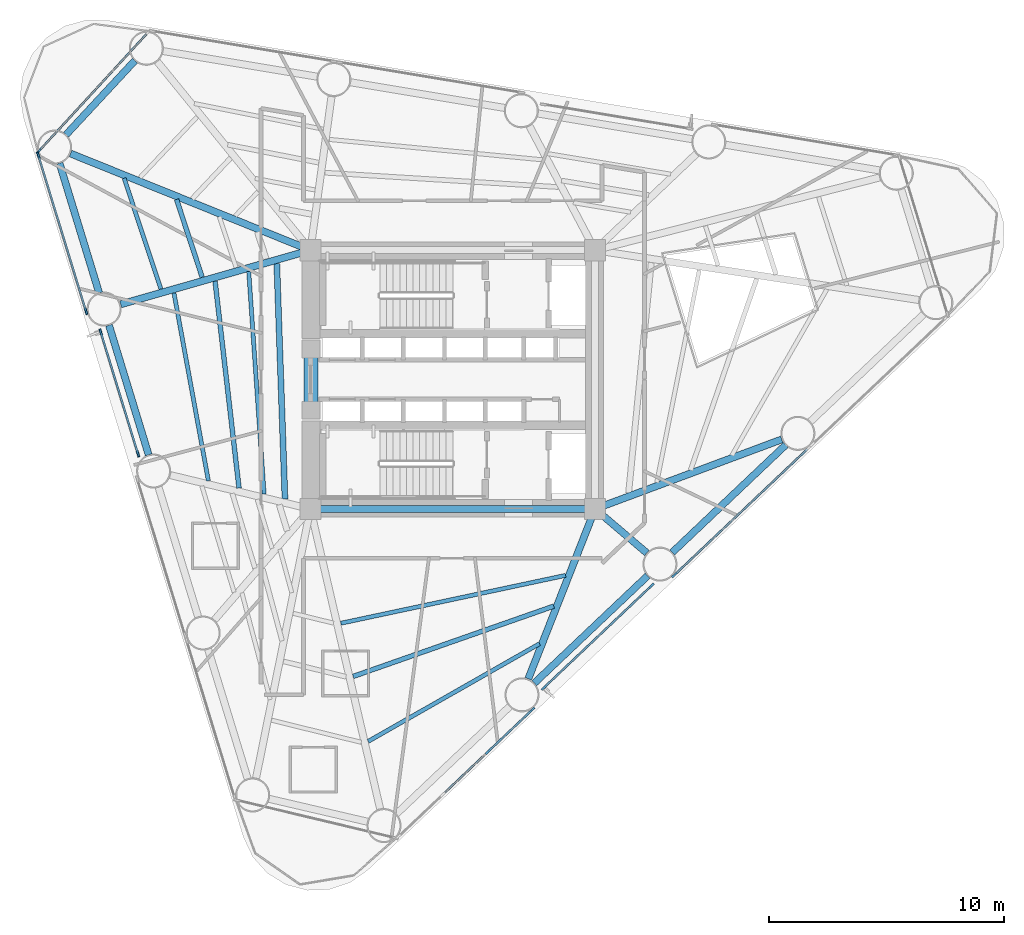
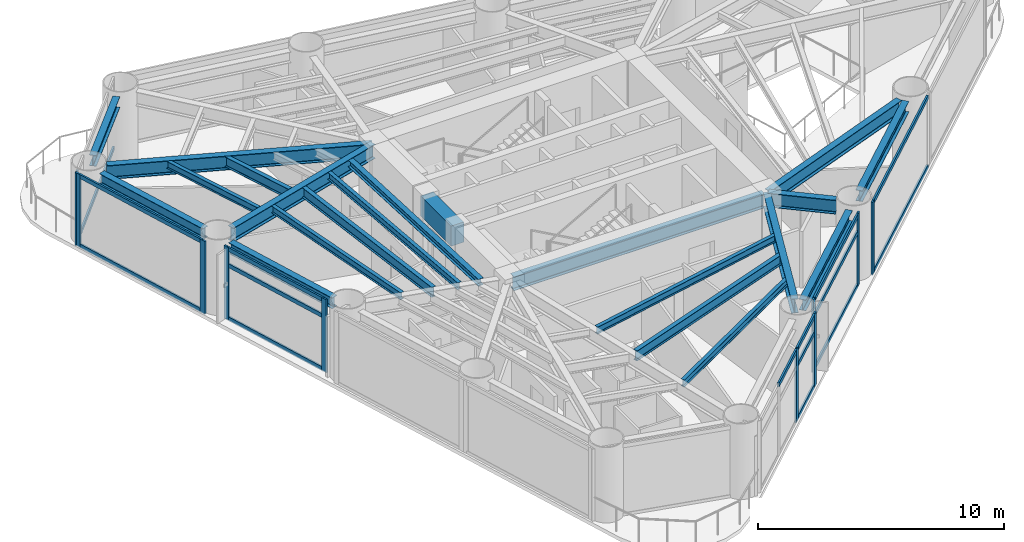
# One storey, part 2 of 10: 25 members, 21 beams, 6 elements without a shape of their own.
"""IFC4 building model written with IfcOpenShell, lengths in metres."""

from ifc_helpers import new_model, si_unit, direction, frame, origin, origin_2d, place, context, subcontext, project, spatial, rectangle, i_section, extrude, source, transform, mapped, material, layer, layer_set, material_profile, profile_set, type_object, element, aggregate, save


model = new_model("IFC4")

# Units and contexts
model_context = context("Model", 3, precision=1e-05, world=origin(), true_north=direction((0.0, 1.0)))
body_context = subcontext(model_context, "Body", "Model", "MODEL_VIEW")
ifc_project = project(units=[si_unit("LENGTHUNIT", "METRE"), si_unit("AREAUNIT", "SQUARE_METRE"), si_unit("VOLUMEUNIT", "CUBIC_METRE"), si_unit("PLANEANGLEUNIT", "RADIAN"), si_unit("MASSUNIT", "GRAM", prefix="KILO")], contexts=[model_context])

# Site, building, storey
site_placement = place(None, origin())
site = spatial("IfcSite", under=ifc_project, at=site_placement, CompositionType="ELEMENT")
building_placement = place(site_placement, origin())
building = spatial("IfcBuilding", under=site, at=building_placement, Name="Yunling Apex Tower", CompositionType="ELEMENT")
storey_placement = place(building_placement, frame((0.0, 0.0, 116.14990234375)))
storey = spatial("IfcBuildingStorey", under=building, at=storey_placement, Name="L29", CompositionType="ELEMENT", Elevation=116.14990234375)

# Beams
ifc_material_1 = material(Name="Concrete C60", Category="concrete")
ifc_material_profile_1 = material_profile(ifc_material_1, rectangle(XDim=0.60009765625, YDim=1.0, at=origin_2d()))
ifc_profile_set_1 = profile_set([ifc_material_profile_1], Name="Concrete C60")
beam_type_1 = type_object("IfcBeamType", Name="BC-CPL-1", PredefinedType="BEAM", material=ifc_profile_set_1)
shared_shape_1 = source(origin(), body_context, "Body", "SweptSolid", [
    extrude(rectangle(XDim=0.60009765625, YDim=1.0, at=origin_2d()), origin(), (0.0, 0.0, 1.0), 2.5),
])
beam_1_placement = place(storey_placement, frame((-6.02490234375, -1.25, 3.030029296875), z_axis=(0.0, 1.0, 0.0), x_axis=(-1.0, 0.0, 0.0)))
element("IfcBeam", 1, at=beam_1_placement, inside=storey, type_object=beam_type_1, Name="L29 Core West Portal Coupling Beam", PredefinedType="BEAM", context=body_context, shape_type="MappedRepresentation", body=[
    mapped(shared_shape_1, transform((0.0, 0.0, 0.0), scale=1.0)),
])
ifc_material_2 = material(Name="Steel Q355B", Category="steel")
ifc_material_profile_2 = material_profile(ifc_material_2, i_section(OverallWidth=0.300048828125, OverallDepth=0.699951171875, WebThickness=0.012939453125, FlangeThickness=0.02392578125, FilletRadius=0.02587890625, at=origin_2d()))
ifc_profile_set_2 = profile_set([ifc_material_profile_2], Name="Steel Q355B")
beam_type_2 = type_object("IfcBeamType", Name="BG-PRI-3", PredefinedType="USERDEFINED", material=ifc_profile_set_2)
shared_shape_2 = source(origin(), body_context, "Body", "SweptSolid", [
    extrude(i_section(OverallWidth=0.300048828125, OverallDepth=0.699951171875, WebThickness=0.012939453125, FlangeThickness=0.02392578125, FilletRadius=0.02587890625, at=origin_2d()), origin(), (0.0, 0.0, 1.0), 11.7998046875),
])
beam_2_placement = place(storey_placement, frame((-5.89990234375, -5.5, 3.18017578125), z_axis=(1.0, 0.0, 0.0), x_axis=(0.0, 1.0, 0.0)))
element("IfcBeam", 2, at=beam_2_placement, inside=storey, type_object=beam_type_2, Name="L29 Core Ring Tie Beam 1", ObjectType="GIRDER", PredefinedType="USERDEFINED", context=body_context, shape_type="MappedRepresentation", body=[
    mapped(shared_shape_2, transform((0.0, 0.0, 0.0), scale=1.0)),
])
ifc_material_profile_3 = material_profile(ifc_material_2, i_section(OverallWidth=0.300048828125, OverallDepth=0.5400390625, WebThickness=0.011962890625, FlangeThickness=0.02001953125, FilletRadius=0.02392578125, at=origin_2d()))
ifc_profile_set_3 = profile_set([ifc_material_profile_3], Name="Steel Q355B")
beam_type_3 = type_object("IfcBeamType", Name="BP-SPN-1", PredefinedType="SPANDREL", material=ifc_profile_set_3)
shared_shape_3 = source(origin(), body_context, "Body", "SweptSolid", [
    extrude(i_section(OverallWidth=0.300048828125, OverallDepth=0.5400390625, WebThickness=0.011962890625, FlangeThickness=0.02001953125, FilletRadius=0.02392578125, at=origin_2d()), origin(), (0.0, 0.0, 1.0), 6.6416015625),
])
for number, where, z_axis, x_axis, name in (
    (3, (3.465087890625, -12.90771484375, 3.260009765625), (0.725873473547, 0.687828249203, 0.0), (-0.687828249203, 0.725873473547, 0.0), "L29 Perimeter Spandrel Beam 2"),
    (4, (9.330078125, -7.35009765625, 3.260009765625), (0.72585608204, 0.687846602205, 0.0), (-0.687846602205, 0.72585608204, 0.0), "L29 Perimeter Spandrel Beam 3"),
):
    element("IfcBeam", number, at=place(storey_placement, frame(where, z_axis=z_axis, x_axis=x_axis)), inside=storey, type_object=beam_type_3, Name=name, PredefinedType="SPANDREL", context=body_context, shape_type="MappedRepresentation", body=[
        mapped(shared_shape_3, transform((0.0, 0.0, 0.0), scale=1.0)),
    ])
shared_shape_4 = source(origin(), body_context, "Body", "SweptSolid", [
    extrude(i_section(OverallWidth=0.300048828125, OverallDepth=0.5400390625, WebThickness=0.011962890625, FlangeThickness=0.02001953125, FilletRadius=0.02392578125, at=origin_2d()), origin(), (0.0, 0.0, 1.0), 4.296875),
])
beam_3_placement = place(storey_placement, frame((-13.513671875, 13.55810546875, 3.260009765625), z_axis=(-0.680634144105, -0.732623478929, 0.0), x_axis=(0.732623478929, -0.680634144105, 0.0)))
element("IfcBeam", 5, at=beam_3_placement, inside=storey, type_object=beam_type_3, Name="L29 Perimeter Spandrel Beam 10", PredefinedType="SPANDREL", context=body_context, shape_type="MappedRepresentation", body=[
    mapped(shared_shape_4, transform((0.0, 0.0, 0.0), scale=1.0)),
])
shared_shape_5 = source(origin(), body_context, "Body", "SweptSolid", [
    extrude(i_section(OverallWidth=0.300048828125, OverallDepth=0.5400390625, WebThickness=0.011962890625, FlangeThickness=0.02001953125, FilletRadius=0.02392578125, at=origin_2d()), origin(), (0.0, 0.0, 1.0), 5.76220703125),
])
for number, where, z_axis, x_axis, name in (
    (6, (-16.71728515625, 9.19580078125, 3.260009765625), (0.292346626925, -0.956312422656, 0.0), (0.956312422656, 0.292346626925, 0.0), "L29 Perimeter Spandrel Beam 11"),
    (7, (-14.6123046875, 2.31005859375, 3.260009765625), (0.292385374143, -0.956300576695, 0.0), (0.956300576695, 0.292385374143, 0.0), "L29 Perimeter Spandrel Beam 12"),
):
    element("IfcBeam", number, at=place(storey_placement, frame(where, z_axis=z_axis, x_axis=x_axis)), inside=storey, type_object=beam_type_3, Name=name, PredefinedType="SPANDREL", context=body_context, shape_type="MappedRepresentation", body=[
        mapped(shared_shape_5, transform((0.0, 0.0, 0.0), scale=1.0)),
    ])
shared_shape_6 = source(origin(), body_context, "Body", "SweptSolid", [
    extrude(i_section(OverallWidth=0.300048828125, OverallDepth=0.699951171875, WebThickness=0.012939453125, FlangeThickness=0.02392578125, FilletRadius=0.02587890625, at=origin_2d()), origin(), (0.0, 0.0, 1.0), 7.67822265625),
])
beam_4_placement = place(storey_placement, frame((3.21142578125, -12.72021484375, 3.18017578125), z_axis=(0.365885513893, 0.930659868439, 0.0), x_axis=(-0.930659868439, 0.365885513893, 0.0)))
element("IfcBeam", 8, at=beam_4_placement, inside=storey, type_object=beam_type_2, Name="L29 Radial Primary Girder R02", ObjectType="GIRDER", PredefinedType="USERDEFINED", context=body_context, shape_type="MappedRepresentation", body=[
    mapped(shared_shape_6, transform((0.0, 0.0, 0.0), scale=1.0)),
])
shared_shape_7 = source(origin(), body_context, "Body", "SweptSolid", [
    extrude(i_section(OverallWidth=0.300048828125, OverallDepth=0.699951171875, WebThickness=0.012939453125, FlangeThickness=0.02392578125, FilletRadius=0.02587890625, at=origin_2d()), origin(), (0.0, 0.0, 1.0), 2.80712890625),
])
beam_5_placement = place(storey_placement, frame((8.24951171875, -7.3701171875, 3.18017578125), z_axis=(-0.761816983267, 0.647792315489, 0.0), x_axis=(-0.647792315489, -0.761816983267, 0.0)))
element("IfcBeam", 9, at=beam_5_placement, inside=storey, type_object=beam_type_2, Name="L29 Radial Primary Girder R03", ObjectType="GIRDER", PredefinedType="USERDEFINED", context=body_context, shape_type="MappedRepresentation", body=[
    mapped(shared_shape_7, transform((0.0, 0.0, 0.0), scale=1.0)),
])
shared_shape_8 = source(origin(), body_context, "Body", "SweptSolid", [
    extrude(i_section(OverallWidth=0.300048828125, OverallDepth=0.699951171875, WebThickness=0.012939453125, FlangeThickness=0.02392578125, FilletRadius=0.02587890625, at=origin_2d()), origin(), (0.0, 0.0, 1.0), 8.388916015625),
])
beam_6_placement = place(storey_placement, frame((13.98583984375, -2.54296875, 3.18017578125), z_axis=(-0.937056723422, -0.349177171489, 0.0), x_axis=(0.349177171489, -0.937056723422, 0.0)))
element("IfcBeam", 10, at=beam_6_placement, inside=storey, type_object=beam_type_2, Name="L29 Radial Primary Girder R04", ObjectType="GIRDER", PredefinedType="USERDEFINED", context=body_context, shape_type="MappedRepresentation", body=[
    mapped(shared_shape_8, transform((0.0, 0.0, 0.0), scale=1.0)),
])
shared_shape_9 = source(origin(), body_context, "Body", "SweptSolid", [
    extrude(i_section(OverallWidth=0.300048828125, OverallDepth=0.699951171875, WebThickness=0.012939453125, FlangeThickness=0.02392578125, FilletRadius=0.02587890625, at=origin_2d()), origin(), (0.0, 0.0, 1.0), 10.91455078125),
])
beam_7_placement = place(storey_placement, frame((-16.247802734375, 9.609375, 3.18017578125), z_axis=(0.927520283233, -0.373772824309, 0.0), x_axis=(0.373772824309, 0.927520283233, 0.0)))
element("IfcBeam", 11, at=beam_7_placement, inside=storey, type_object=beam_type_2, Name="L29 Radial Primary Girder R11", ObjectType="GIRDER", PredefinedType="USERDEFINED", context=body_context, shape_type="MappedRepresentation", body=[
    mapped(shared_shape_9, transform((0.0, 0.0, 0.0), scale=1.0)),
])
shared_shape_10 = source(origin(), body_context, "Body", "SweptSolid", [
    extrude(i_section(OverallWidth=0.300048828125, OverallDepth=0.699951171875, WebThickness=0.012939453125, FlangeThickness=0.02392578125, FilletRadius=0.02587890625, at=origin_2d()), origin(), (0.0, 0.0, 1.0), 8.309326171875),
])
beam_8_placement = place(storey_placement, frame((-14.117431640625, 3.19873046875, 3.18017578125), z_axis=(0.961641387397, 0.274309755652, 0.0), x_axis=(-0.274309755652, 0.961641387397, 0.0)))
element("IfcBeam", 12, at=beam_8_placement, inside=storey, type_object=beam_type_2, Name="L29 Radial Primary Girder R12", ObjectType="GIRDER", PredefinedType="USERDEFINED", context=body_context, shape_type="MappedRepresentation", body=[
    mapped(shared_shape_10, transform((0.0, 0.0, 0.0), scale=1.0)),
])
ifc_material_profile_4 = material_profile(ifc_material_2, i_section(OverallWidth=0.199951171875, OverallDepth=0.5, WebThickness=0.010009765625, FlangeThickness=0.01611328125, FilletRadius=0.02001953125, at=origin_2d()))
ifc_profile_set_4 = profile_set([ifc_material_profile_4], Name="Steel Q355B")
beam_type_4 = type_object("IfcBeamType", Name="BS-SEC-2", PredefinedType="BEAM", material=ifc_profile_set_4)
shared_shape_11 = source(origin(), body_context, "Body", "SweptSolid", [
    extrude(i_section(OverallWidth=0.199951171875, OverallDepth=0.5, WebThickness=0.010009765625, FlangeThickness=0.01611328125, FilletRadius=0.02001953125, at=origin_2d()), origin(), (0.0, 0.0, 1.0), 9.03759765625),
])
beam_9_placement = place(storey_placement, frame((-4.23193359375, -12.619140625, 3.280029296875), z_axis=(0.943677540759, 0.330866588018, 0.0), x_axis=(-0.330866588018, 0.943677540759, 0.0)))
element("IfcBeam", 13, at=beam_9_placement, inside=storey, type_object=beam_type_4, Name="L29 Composite Floor Beam BS-1", PredefinedType="BEAM", context=body_context, shape_type="MappedRepresentation", body=[
    mapped(shared_shape_11, transform((0.0, 0.0, 0.0), scale=1.0)),
])
ifc_material_profile_5 = material_profile(ifc_material_2, i_section(OverallWidth=0.175048828125, OverallDepth=0.35009765625, WebThickness=0.007080078125, FlangeThickness=0.010986328125, FilletRadius=0.013916015625, at=origin_2d()))
ifc_profile_set_5 = profile_set([ifc_material_profile_5], Name="Steel Q355B")
beam_type_5 = type_object("IfcBeamType", Name="BJ-JST-1", PredefinedType="JOIST", material=ifc_profile_set_5)
shared_shape_12 = source(origin(), body_context, "Body", "SweptSolid", [
    extrude(i_section(OverallWidth=0.175048828125, OverallDepth=0.35009765625, WebThickness=0.007080078125, FlangeThickness=0.010986328125, FilletRadius=0.013916015625, at=origin_2d()), origin(), (0.0, 0.0, 1.0), 8.38671875),
])
beam_10_placement = place(storey_placement, frame((-3.59619140625, -15.3798828125, 3.35498046875), z_axis=(0.868817593772, 0.495132294192, 0.0), x_axis=(-0.495132294192, 0.868817593772, 0.0)))
element("IfcBeam", 14, at=beam_10_placement, inside=storey, type_object=beam_type_5, Name="L29 Composite Floor Joist BJ1-1", PredefinedType="JOIST", context=body_context, shape_type="MappedRepresentation", body=[
    mapped(shared_shape_12, transform((0.0, 0.0, 0.0), scale=1.0)),
])
shared_shape_13 = source(origin(), body_context, "Body", "SweptSolid", [
    extrude(i_section(OverallWidth=0.175048828125, OverallDepth=0.35009765625, WebThickness=0.007080078125, FlangeThickness=0.010986328125, FilletRadius=0.013916015625, at=origin_2d()), origin(), (0.0, 0.0, 1.0), 9.767578125),
])
beam_11_placement = place(storey_placement, frame((-4.756591796875, -10.3583984375, 3.35498046875), z_axis=(0.978052637888, 0.208357955263, 0.0), x_axis=(-0.208357955263, 0.978052637888, 0.0)))
element("IfcBeam", 15, at=beam_11_placement, inside=storey, type_object=beam_type_5, Name="L29 Composite Floor Joist BJ3-1", PredefinedType="JOIST", context=body_context, shape_type="MappedRepresentation", body=[
    mapped(shared_shape_13, transform((0.0, 0.0, 0.0), scale=1.0)),
])
shared_shape_14 = source(origin(), body_context, "Body", "SweptSolid", [
    extrude(i_section(OverallWidth=0.199951171875, OverallDepth=0.5, WebThickness=0.010009765625, FlangeThickness=0.01611328125, FilletRadius=0.02001953125, at=origin_2d()), origin(), (0.0, 0.0, 1.0), 3.484130859375),
])
beam_12_placement = place(storey_placement, frame((-11.7431640625, 7.662353515625, 3.280029296875), z_axis=(0.313220106306, -0.949680559455, 0.0), x_axis=(0.949680559455, 0.313220106306, 0.0)))
element("IfcBeam", 16, at=beam_12_placement, inside=storey, type_object=beam_type_4, Name="L29 Composite Floor Beam BS-11", PredefinedType="BEAM", context=body_context, shape_type="MappedRepresentation", body=[
    mapped(shared_shape_14, transform((0.0, 0.0, 0.0), scale=1.0)),
])
shared_shape_15 = source(origin(), body_context, "Body", "SweptSolid", [
    extrude(i_section(OverallWidth=0.175048828125, OverallDepth=0.35009765625, WebThickness=0.007080078125, FlangeThickness=0.010986328125, FilletRadius=0.013916015625, at=origin_2d()), origin(), (0.0, 0.0, 1.0), 4.959716796875),
])
beam_13_placement = place(storey_placement, frame((-13.97021484375, 8.56005859375, 3.35498046875), z_axis=(0.314588147489, -0.949228264149, 0.0), x_axis=(0.949228264149, 0.314588147489, 0.0)))
element("IfcBeam", 17, at=beam_13_placement, inside=storey, type_object=beam_type_5, Name="L29 Composite Floor Joist BJ1-11", PredefinedType="JOIST", context=body_context, shape_type="MappedRepresentation", body=[
    mapped(shared_shape_15, transform((0.0, 0.0, 0.0), scale=1.0)),
])
shared_shape_16 = source(origin(), body_context, "Body", "SweptSolid", [
    extrude(i_section(OverallWidth=0.199951171875, OverallDepth=0.5, WebThickness=0.010009765625, FlangeThickness=0.01611328125, FilletRadius=0.02001953125, at=origin_2d()), origin(), (0.0, 0.0, 1.0), 8.85009765625),
])
beam_14_placement = place(storey_placement, frame((-10.103759765625, 4.179443359375, 3.280029296875), z_axis=(0.115144483353, -0.993348754443, 0.0), x_axis=(0.993348754443, 0.115144483353, 0.0)))
element("IfcBeam", 18, at=beam_14_placement, inside=storey, type_object=beam_type_4, Name="L29 Composite Floor Beam BS-12", PredefinedType="BEAM", context=body_context, shape_type="MappedRepresentation", body=[
    mapped(shared_shape_16, transform((0.0, 0.0, 0.0), scale=1.0)),
])
shared_shape_17 = source(origin(), body_context, "Body", "SweptSolid", [
    extrude(i_section(OverallWidth=0.175048828125, OverallDepth=0.35009765625, WebThickness=0.007080078125, FlangeThickness=0.010986328125, FilletRadius=0.013916015625, at=origin_2d()), origin(), (0.0, 0.0, 1.0), 8.113525390625),
])
beam_15_placement = place(storey_placement, frame((-11.851318359375, 3.6796875, 3.35498046875), z_axis=(0.180333691295, -0.983605489912, 0.0), x_axis=(0.983605489912, 0.180333691295, 0.0)))
element("IfcBeam", 19, at=beam_15_placement, inside=storey, type_object=beam_type_5, Name="L29 Composite Floor Joist BJ1-12", PredefinedType="JOIST", context=body_context, shape_type="MappedRepresentation", body=[
    mapped(shared_shape_17, transform((0.0, 0.0, 0.0), scale=1.0)),
])
shared_shape_18 = source(origin(), body_context, "Body", "SweptSolid", [
    extrude(i_section(OverallWidth=0.175048828125, OverallDepth=0.35009765625, WebThickness=0.007080078125, FlangeThickness=0.010986328125, FilletRadius=0.013916015625, at=origin_2d()), origin(), (0.0, 0.0, 1.0), 9.478515625),
])
beam_16_placement = place(storey_placement, frame((-8.6728515625, 4.589111328125, 3.35498046875), z_axis=(0.068925846819, -0.997621785869, 0.0), x_axis=(0.997621785869, 0.068925846819, 0.0)))
element("IfcBeam", 20, at=beam_16_placement, inside=storey, type_object=beam_type_5, Name="L29 Composite Floor Joist BJ3-12", PredefinedType="JOIST", context=body_context, shape_type="MappedRepresentation", body=[
    mapped(shared_shape_18, transform((0.0, 0.0, 0.0), scale=1.0)),
])
ifc_material_profile_6 = material_profile(ifc_material_2, i_section(OverallWidth=0.25, OverallDepth=0.340087890625, WebThickness=0.009033203125, FlangeThickness=0.013916015625, FilletRadius=0.01806640625, at=origin_2d()))
ifc_profile_set_6 = profile_set([ifc_material_profile_6], Name="Steel Q355B")
beam_type_6 = type_object("IfcBeamType", Name="BJ-JST-2", PredefinedType="JOIST", material=ifc_profile_set_6)
shared_shape_19 = source(origin(), body_context, "Body", "SweptSolid", [
    extrude(i_section(OverallWidth=0.25, OverallDepth=0.340087890625, WebThickness=0.009033203125, FlangeThickness=0.013916015625, FilletRadius=0.01806640625, at=origin_2d()), origin(), (0.0, 0.0, 1.0), 10.016357421875),
])
beam_17_placement = place(storey_placement, frame((-7.479736328125, 4.9306640625, 3.360107421875), z_axis=(0.034684741857, -0.999398303322, 0.0), x_axis=(0.999398303322, 0.034684741857, 0.0)))
element("IfcBeam", 21, at=beam_17_placement, inside=storey, type_object=beam_type_6, Name="L29 Composite Floor Joist BJ2-12", PredefinedType="JOIST", context=body_context, shape_type="MappedRepresentation", body=[
    mapped(shared_shape_19, transform((0.0, 0.0, 0.0), scale=1.0)),
])

# Curtain wall, members
ifc_material_3 = material(Name="Bronze anodised aluminium", Category="aluminium")
ifc_layer = layer(ifc_material_3, 0.260009765625)
ifc_layer_set = layer_set([ifc_layer], Name="Bronze anodised aluminium")
curtain_wall_type = type_object("IfcCurtainWallType", Name="CW-SYS-2", PredefinedType="NOTDEFINED", material=ifc_layer_set)
curtain_wall_1_placement = place(storey_placement, origin())
curtain_wall_1 = element("IfcCurtainWall", 22, at=curtain_wall_1_placement, inside=storey, type_object=curtain_wall_type, Name="CW-L29-F1-B1", PredefinedType="NOTDEFINED")
ifc_material_profile_7 = material_profile(ifc_material_3, rectangle(XDim=0.0849609375, YDim=0.260009765625, at=origin_2d()))
ifc_profile_set_7 = profile_set([ifc_material_profile_7], Name="Bronze anodised aluminium")
member_type_1 = type_object("IfcMemberType", Name="CW-MUL-2", PredefinedType="MULLION", material=ifc_profile_set_7)
shared_shape_20 = source(origin(), body_context, "Body", "SweptSolid", [
    extrude(rectangle(XDim=0.0849609375, YDim=0.260009765625, at=origin_2d()), origin(), (0.0, 0.0, 1.0), 3.6298828125),
])
member_1_placement = place(storey_placement, frame((1.491943359375, -15.824951171875, -0.0498046875), z_axis=(0.0, 0.0, 1.0), x_axis=(-0.687861264918, 0.72584218686, 0.0)))
member_1 = element("IfcMember", 23, at=member_1_placement, type_object=member_type_1, Name="CW-SYS-2 mullion 3", PredefinedType="MULLION", context=body_context, shape_type="MappedRepresentation", body=[
    mapped(shared_shape_20, transform((0.0, 0.0, 0.0), scale=1.0)),
])
member_2_placement = place(storey_placement, frame((3.377197265625, -14.038330078125, -0.0498046875), z_axis=(0.0, 0.0, 1.0), x_axis=(-0.687861264918, 0.72584218686, 0.0)))
member_2 = element("IfcMember", 24, at=member_2_placement, type_object=member_type_1, Name="CW-SYS-2 mullion 4", PredefinedType="MULLION", context=body_context, shape_type="MappedRepresentation", body=[
    mapped(shared_shape_20, transform((0.0, 0.0, 0.0), scale=1.0)),
])

curtain_wall_2_placement = place(storey_placement, origin())
curtain_wall_2 = element("IfcCurtainWall", 25, at=curtain_wall_2_placement, inside=storey, type_object=curtain_wall_type, Name="CW-L29-F1-B2", PredefinedType="NOTDEFINED")
member_3_placement = place(storey_placement, frame((3.87646484375, -13.096923828125, -0.0498046875), z_axis=(0.0, 0.0, 1.0), x_axis=(-0.687844480924, 0.725858092234, 0.0)))
member_3 = element("IfcMember", 26, at=member_3_placement, type_object=member_type_1, Name="CW-SYS-2 mullion 1", PredefinedType="MULLION", context=body_context, shape_type="MappedRepresentation", body=[
    mapped(shared_shape_20, transform((0.0, 0.0, 0.0), scale=1.0)),
])
member_4_placement = place(storey_placement, frame((8.452880859375, -8.76025390625, -0.0498046875), z_axis=(0.0, 0.0, 1.0), x_axis=(-0.687844480924, 0.725858092234, 0.0)))
member_4 = element("IfcMember", 27, at=member_4_placement, type_object=member_type_1, Name="CW-SYS-2 mullion 2", PredefinedType="MULLION", context=body_context, shape_type="MappedRepresentation", body=[
    mapped(shared_shape_20, transform((0.0, 0.0, 0.0), scale=1.0)),
])

# Curtain wall, member
curtain_wall_3_placement = place(storey_placement, origin())
curtain_wall_3 = element("IfcCurtainWall", 28, at=curtain_wall_3_placement, inside=storey, type_object=curtain_wall_type, Name="CW-L29-F1-B3", PredefinedType="NOTDEFINED")
member_5_placement = place(storey_placement, frame((9.419921875, -8.312255859375, -0.0498046875), z_axis=(0.0, 0.0, 1.0), x_axis=(-0.687861264918, 0.72584218686, 0.0)))
member_5 = element("IfcMember", 29, at=member_5_placement, type_object=member_type_1, Name="CW-SYS-2 mullion 1", PredefinedType="MULLION", context=body_context, shape_type="MappedRepresentation", body=[
    mapped(shared_shape_20, transform((0.0, 0.0, 0.0), scale=1.0)),
])

curtain_wall_4_placement = place(storey_placement, origin())
curtain_wall_4 = element("IfcCurtainWall", 30, at=curtain_wall_4_placement, inside=storey, type_object=curtain_wall_type, Name="CW-L29-CRN2", PredefinedType="NOTDEFINED")
member_6_placement = place(storey_placement, frame((-17.6064453125, 9.6982421875, -0.0498046875), z_axis=(0.0, 0.0, 1.0), x_axis=(0.736184624933, -0.676780760669, 0.0)))
member_6 = element("IfcMember", 31, at=member_6_placement, type_object=member_type_1, Name="CW-SYS-2 mullion 2", PredefinedType="MULLION", context=body_context, shape_type="MappedRepresentation", body=[
    mapped(shared_shape_20, transform((0.0, 0.0, 0.0), scale=1.0)),
])

# Curtain wall, members
curtain_wall_5_placement = place(storey_placement, origin())
curtain_wall_5 = element("IfcCurtainWall", 32, at=curtain_wall_5_placement, inside=storey, type_object=curtain_wall_type, Name="CW-L29-F3-B1", PredefinedType="NOTDEFINED")
member_7_placement = place(storey_placement, frame((-17.61865234375, 9.5439453125, -0.0498046875), z_axis=(0.0, 0.0, 1.0), x_axis=(0.956304476342, 0.292372619321, 0.0)))
member_7 = element("IfcMember", 33, at=member_7_placement, type_object=member_type_1, Name="CW-SYS-2 mullion 1", PredefinedType="MULLION", context=body_context, shape_type="MappedRepresentation", body=[
    mapped(shared_shape_20, transform((0.0, 0.0, 0.0), scale=1.0)),
])
member_8_placement = place(storey_placement, frame((-15.5849609375, 2.892578125, -0.0498046875), z_axis=(0.0, 0.0, 1.0), x_axis=(0.956304476342, 0.292372619321, 0.0)))
member_8 = element("IfcMember", 34, at=member_8_placement, type_object=member_type_1, Name="CW-SYS-2 mullion 2", PredefinedType="MULLION", context=body_context, shape_type="MappedRepresentation", body=[
    mapped(shared_shape_20, transform((0.0, 0.0, 0.0), scale=1.0)),
])

curtain_wall_6_placement = place(storey_placement, origin())
curtain_wall_6 = element("IfcCurtainWall", 35, at=curtain_wall_6_placement, inside=storey, type_object=curtain_wall_type, Name="CW-L29-F3-B2", PredefinedType="NOTDEFINED")
member_9_placement = place(storey_placement, frame((-14.964599609375, 2.026123046875, -0.0498046875), z_axis=(0.0, 0.0, 1.0), x_axis=(0.956307182672, 0.292363767199, 0.0)))
member_9 = element("IfcMember", 36, at=member_9_placement, type_object=member_type_1, Name="CW-SYS-2 mullion 1", PredefinedType="MULLION", context=body_context, shape_type="MappedRepresentation", body=[
    mapped(shared_shape_20, transform((0.0, 0.0, 0.0), scale=1.0)),
])
member_10_placement = place(storey_placement, frame((-13.37841796875, -3.162109375, -0.0498046875), z_axis=(0.0, 0.0, 1.0), x_axis=(0.956307182672, 0.292363767199, 0.0)))
member_10 = element("IfcMember", 37, at=member_10_placement, type_object=member_type_1, Name="CW-SYS-2 mullion 2", PredefinedType="MULLION", context=body_context, shape_type="MappedRepresentation", body=[
    mapped(shared_shape_20, transform((0.0, 0.0, 0.0), scale=1.0)),
])

# Member
ifc_material_profile_8 = material_profile(ifc_material_3, rectangle(XDim=0.0849609375, YDim=0.199951171875, at=origin_2d()))
ifc_profile_set_8 = profile_set([ifc_material_profile_8], Name="Bronze anodised aluminium")
member_type_2 = type_object("IfcMemberType", Name="CW-TRN-2", PredefinedType="USERDEFINED", material=ifc_profile_set_8)
shared_shape_21 = source(origin(), body_context, "Body", "SweptSolid", [
    extrude(rectangle(XDim=0.0849609375, YDim=0.199951171875, at=origin_2d()), origin(), (0.0, 0.0, 1.0), 2.563232421875),
])
member_11_placement = place(storey_placement, frame((-0.396484375, -17.614501953125, 3.487548828125), z_axis=(0.725852566003, 0.687850312515, 0.0), x_axis=(-0.687850312515, 0.725852566003, 0.0)))
member_11 = element("IfcMember", 38, at=member_11_placement, type_object=member_type_2, Name="CW-SYS-2 transom 2.3", ObjectType="TRANSOM", PredefinedType="USERDEFINED", context=body_context, shape_type="MappedRepresentation", body=[
    mapped(shared_shape_21, transform((0.0, 0.0, 0.0), scale=1.0)),
])

shared_shape_22 = source(origin(), body_context, "Body", "SweptSolid", [
    extrude(rectangle(XDim=0.0849609375, YDim=0.199951171875, at=origin_2d()), origin(), (0.0, 0.0, 1.0), 2.520751953125),
])
member_12_placement = place(storey_placement, frame((1.51953125, -15.798583984375, 0.04248046875), z_axis=(0.725881421947, 0.687819861063, 0.0), x_axis=(-0.687819861063, 0.725881421947, 0.0)))
member_12 = element("IfcMember", 39, at=member_12_placement, type_object=member_type_2, Name="CW-SYS-2 transom 3.1", ObjectType="TRANSOM", PredefinedType="USERDEFINED", context=body_context, shape_type="MappedRepresentation", body=[
    mapped(shared_shape_22, transform((0.0, 0.0, 0.0), scale=1.0)),
])

member_13_placement = place(storey_placement, frame((1.51953125, -15.798583984375, 2.682861328125), z_axis=(0.725881421947, 0.687819861063, 0.0), x_axis=(-0.687819861063, 0.725881421947, 0.0)))
member_13 = element("IfcMember", 40, at=member_13_placement, type_object=member_type_2, Name="CW-SYS-2 transom 3.2", ObjectType="TRANSOM", PredefinedType="USERDEFINED", context=body_context, shape_type="MappedRepresentation", body=[
    mapped(shared_shape_22, transform((0.0, 0.0, 0.0), scale=1.0)),
])

member_14_placement = place(storey_placement, frame((1.51953125, -15.798583984375, 3.487548828125), z_axis=(0.725881421947, 0.687819861063, 0.0), x_axis=(-0.687819861063, 0.725881421947, 0.0)))
member_14 = element("IfcMember", 41, at=member_14_placement, type_object=member_type_2, Name="CW-SYS-2 transom 3.3", ObjectType="TRANSOM", PredefinedType="USERDEFINED", context=body_context, shape_type="MappedRepresentation", body=[
    mapped(shared_shape_22, transform((0.0, 0.0, 0.0), scale=1.0)),
])

aggregate(curtain_wall_1, [member_1, member_2, member_11, member_12, member_13, member_14])

shared_shape_23 = source(origin(), body_context, "Body", "SweptSolid", [
    extrude(rectangle(XDim=0.0849609375, YDim=0.199951171875, at=origin_2d()), origin(), (0.0, 0.0, 1.0), 6.228271484375),
])
member_15_placement = place(storey_placement, frame((3.904296875, -13.070556640625, 0.04248046875), z_axis=(0.725843490466, 0.687859889329, 0.0), x_axis=(-0.687859889329, 0.725843490466, 0.0)))
member_15 = element("IfcMember", 42, at=member_15_placement, type_object=member_type_2, Name="CW-SYS-2 transom 1.1", ObjectType="TRANSOM", PredefinedType="USERDEFINED", context=body_context, shape_type="MappedRepresentation", body=[
    mapped(shared_shape_23, transform((0.0, 0.0, 0.0), scale=1.0)),
])

member_16_placement = place(storey_placement, frame((3.904296875, -13.070556640625, 2.682861328125), z_axis=(0.725843490466, 0.687859889329, 0.0), x_axis=(-0.687859889329, 0.725843490466, 0.0)))
member_16 = element("IfcMember", 43, at=member_16_placement, type_object=member_type_2, Name="CW-SYS-2 transom 1.2", ObjectType="TRANSOM", PredefinedType="USERDEFINED", context=body_context, shape_type="MappedRepresentation", body=[
    mapped(shared_shape_23, transform((0.0, 0.0, 0.0), scale=1.0)),
])

member_17_placement = place(storey_placement, frame((3.904296875, -13.070556640625, 3.487548828125), z_axis=(0.725843490466, 0.687859889329, 0.0), x_axis=(-0.687859889329, 0.725843490466, 0.0)))
member_17 = element("IfcMember", 44, at=member_17_placement, type_object=member_type_2, Name="CW-SYS-2 transom 1.3", ObjectType="TRANSOM", PredefinedType="USERDEFINED", context=body_context, shape_type="MappedRepresentation", body=[
    mapped(shared_shape_23, transform((0.0, 0.0, 0.0), scale=1.0)),
])

aggregate(curtain_wall_2, [member_3, member_4, member_15, member_16, member_17])

shared_shape_24 = source(origin(), body_context, "Body", "SweptSolid", [
    extrude(rectangle(XDim=0.0849609375, YDim=0.199951171875, at=origin_2d()), origin(), (0.0, 0.0, 1.0), 7.75830078125),
])
member_18_placement = place(storey_placement, frame((9.447509765625, -8.285888671875, 0.04248046875), z_axis=(0.725858408627, 0.687844147046, 0.0), x_axis=(-0.687844147046, 0.725858408627, 0.0)))
member_18 = element("IfcMember", 45, at=member_18_placement, type_object=member_type_2, Name="CW-SYS-2 transom 1.1", ObjectType="TRANSOM", PredefinedType="USERDEFINED", context=body_context, shape_type="MappedRepresentation", body=[
    mapped(shared_shape_24, transform((0.0, 0.0, 0.0), scale=1.0)),
])

member_19_placement = place(storey_placement, frame((9.447509765625, -8.285888671875, 3.487548828125), z_axis=(0.725858408627, 0.687844147046, 0.0), x_axis=(-0.687844147046, 0.725858408627, 0.0)))
member_19 = element("IfcMember", 46, at=member_19_placement, type_object=member_type_2, Name="CW-SYS-2 transom 1.2", ObjectType="TRANSOM", PredefinedType="USERDEFINED", context=body_context, shape_type="MappedRepresentation", body=[
    mapped(shared_shape_24, transform((0.0, 0.0, 0.0), scale=1.0)),
])

aggregate(curtain_wall_3, [member_5, member_18, member_19])

shared_shape_25 = source(origin(), body_context, "Body", "SweptSolid", [
    extrude(rectangle(XDim=0.0849609375, YDim=0.199951171875, at=origin_2d()), origin(), (0.0, 0.0, 1.0), 6.831298828125),
])
member_20_placement = place(storey_placement, frame((-12.957275390625, 14.755615234375, 0.04248046875), z_axis=(-0.676783953504, -0.73618168972, 0.0), x_axis=(0.73618168972, -0.676783953504, 0.0)))
member_20 = element("IfcMember", 47, at=member_20_placement, type_object=member_type_2, Name="CW-SYS-2 transom 1.1", ObjectType="TRANSOM", PredefinedType="USERDEFINED", context=body_context, shape_type="MappedRepresentation", body=[
    mapped(shared_shape_25, transform((0.0, 0.0, 0.0), scale=1.0)),
])

aggregate(curtain_wall_4, [member_6, member_20])

shared_shape_26 = source(origin(), body_context, "Body", "SweptSolid", [
    extrude(rectangle(XDim=0.0849609375, YDim=0.199951171875, at=origin_2d()), origin(), (0.0, 0.0, 1.0), 6.878662109375),
])
member_21_placement = place(storey_placement, frame((-17.607421875, 9.50732421875, 0.04248046875), z_axis=(0.29238444517, -0.956300860725, 0.0), x_axis=(0.956300860725, 0.29238444517, 0.0)))
member_21 = element("IfcMember", 48, at=member_21_placement, type_object=member_type_2, Name="CW-SYS-2 transom 1.1", ObjectType="TRANSOM", PredefinedType="USERDEFINED", context=body_context, shape_type="MappedRepresentation", body=[
    mapped(shared_shape_26, transform((0.0, 0.0, 0.0), scale=1.0)),
])

member_22_placement = place(storey_placement, frame((-17.607421875, 9.50732421875, 3.487548828125), z_axis=(0.29238444517, -0.956300860725, 0.0), x_axis=(0.956300860725, 0.29238444517, 0.0)))
member_22 = element("IfcMember", 49, at=member_22_placement, type_object=member_type_2, Name="CW-SYS-2 transom 1.2", ObjectType="TRANSOM", PredefinedType="USERDEFINED", context=body_context, shape_type="MappedRepresentation", body=[
    mapped(shared_shape_26, transform((0.0, 0.0, 0.0), scale=1.0)),
])

aggregate(curtain_wall_5, [member_7, member_8, member_21, member_22])

shared_shape_27 = source(origin(), body_context, "Body", "SweptSolid", [
    extrude(rectangle(XDim=0.0849609375, YDim=0.199951171875, at=origin_2d()), origin(), (0.0, 0.0, 1.0), 5.3486328125),
])
member_23_placement = place(storey_placement, frame((-14.953369140625, 1.989501953125, 0.04248046875), z_axis=(0.292356530711, -0.956309394992, 0.0), x_axis=(0.956309394992, 0.292356530711, 0.0)))
member_23 = element("IfcMember", 50, at=member_23_placement, type_object=member_type_2, Name="CW-SYS-2 transom 1.1", ObjectType="TRANSOM", PredefinedType="USERDEFINED", context=body_context, shape_type="MappedRepresentation", body=[
    mapped(shared_shape_27, transform((0.0, 0.0, 0.0), scale=1.0)),
])

member_24_placement = place(storey_placement, frame((-14.953369140625, 1.989501953125, 2.682861328125), z_axis=(0.292356530711, -0.956309394992, 0.0), x_axis=(0.956309394992, 0.292356530711, 0.0)))
member_24 = element("IfcMember", 51, at=member_24_placement, type_object=member_type_2, Name="CW-SYS-2 transom 1.2", ObjectType="TRANSOM", PredefinedType="USERDEFINED", context=body_context, shape_type="MappedRepresentation", body=[
    mapped(shared_shape_27, transform((0.0, 0.0, 0.0), scale=1.0)),
])

member_25_placement = place(storey_placement, frame((-14.953369140625, 1.989501953125, 3.487548828125), z_axis=(0.292356530711, -0.956309394992, 0.0), x_axis=(0.956309394992, 0.292356530711, 0.0)))
member_25 = element("IfcMember", 52, at=member_25_placement, type_object=member_type_2, Name="CW-SYS-2 transom 1.3", ObjectType="TRANSOM", PredefinedType="USERDEFINED", context=body_context, shape_type="MappedRepresentation", body=[
    mapped(shared_shape_27, transform((0.0, 0.0, 0.0), scale=1.0)),
])

aggregate(curtain_wall_6, [member_9, member_10, member_23, member_24, member_25])

save(model, "model.ifc")
